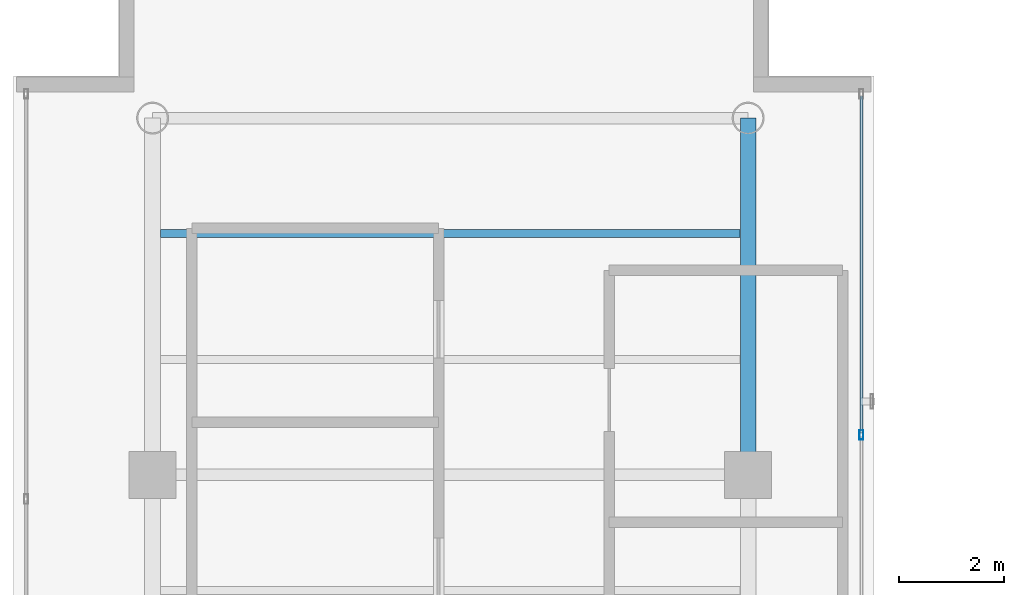
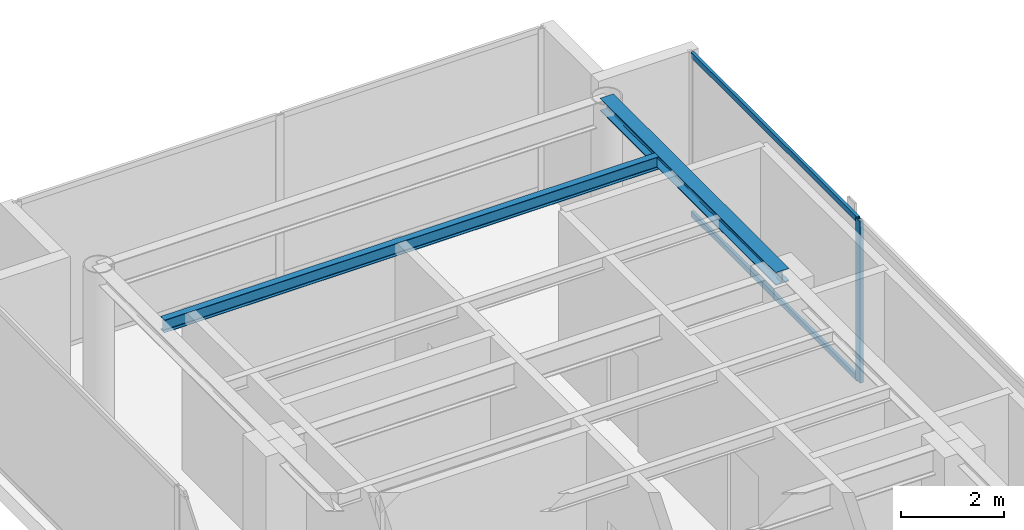
# One storey, part 17 of 24: 3 members, 2 beams, 1 element without a shape of its own.
"""IFC4 building model written with IfcOpenShell, lengths in metres."""

from ifc_helpers import new_model, si_unit, direction, frame, origin, origin_with_axes, origin_2d, place, context, subcontext, project, spatial, hollow_rectangle, i_section, extrude, source, transform, mapped, material, layer, layer_set, material_profile, profile_set, type_object, element, aggregate, save


model = new_model("IFC4")

# Units and contexts
model_context = context("Model", 3, precision=1e-05, world=origin(), true_north=direction((0.0, 1.0)))
body_context = subcontext(model_context, "Body", "Model", "MODEL_VIEW")
ifc_project = project(units=[si_unit("LENGTHUNIT", "METRE"), si_unit("AREAUNIT", "SQUARE_METRE"), si_unit("VOLUMEUNIT", "CUBIC_METRE"), si_unit("PLANEANGLEUNIT", "RADIAN"), si_unit("MASSUNIT", "GRAM", prefix="KILO")], contexts=[model_context])

# Site, building, storey
site_placement = place(None, origin())
site = spatial("IfcSite", under=ifc_project, at=site_placement, CompositionType="ELEMENT")
building_placement = place(site_placement, origin())
building = spatial("IfcBuilding", under=site, at=building_placement, Name="Kolvaren Waterfront Exchange", CompositionType="ELEMENT")
storey_placement = place(building_placement, frame((0.0, 0.0, 356.199951171875)))
storey = spatial("IfcBuildingStorey", under=building, at=storey_placement, Name="L91", CompositionType="ELEMENT", Elevation=356.199951171875)

# Beams
ifc_material_1 = material(Name="Steel S355", Category="steel")
ifc_material_profile_1 = material_profile(ifc_material_1, i_section(OverallWidth=0.300048828125, OverallDepth=0.300048828125, WebThickness=0.010986328125, FlangeThickness=0.01904296875, FilletRadius=0.027099609375, at=origin_2d()), Name="HEB300")
ifc_profile_set_1 = profile_set([ifc_material_profile_1], Name="Steel S355")
beam_type_1 = type_object("IfcBeamType", Name="STR-BM-HEB300", PredefinedType="SPANDREL", material=ifc_profile_set_1)
beam_1_placement = place(storey_placement, frame((18.800048828125, 37.800048828125, 3.670166015625), z_axis=(0.0, 1.0, 0.0), x_axis=(-1.0, 0.0, 0.0)))
element("IfcBeam", 1, at=beam_1_placement, inside=storey, type_object=beam_type_1, Name="L91 north-arm edge beam 3", PredefinedType="SPANDREL", context=body_context, shape_type="SweptSolid", body=[
    extrude(i_section(OverallWidth=0.300048828125, OverallDepth=0.300048828125, WebThickness=0.010986328125, FlangeThickness=0.01904296875, FilletRadius=0.027099609375, at=origin_2d()), origin(), (0.0, 0.0, 1.0), 6.800048828125),
])
ifc_material_profile_2 = material_profile(ifc_material_1, i_section(OverallWidth=0.14990234375, OverallDepth=0.300048828125, WebThickness=0.007080078125, FlangeThickness=0.0107421875, FilletRadius=0.014892578125, at=origin_2d()), Name="IPE300")
ifc_profile_set_2 = profile_set([ifc_material_profile_2], Name="Steel S355")
beam_type_2 = type_object("IfcBeamType", Name="STR-BM-IPE300", PredefinedType="JOIST", material=ifc_profile_set_2)
beam_2_placement = place(storey_placement, frame((7.60205078125, 42.39990234375, 3.670166015625), z_axis=(1.0, 0.0, 0.0), x_axis=(0.0, 1.0, 0.0)))
element("IfcBeam", 2, at=beam_2_placement, inside=storey, type_object=beam_type_2, Name="L91 north-arm composite joist 6", PredefinedType="JOIST", context=body_context, shape_type="SweptSolid", body=[
    extrude(i_section(OverallWidth=0.14990234375, OverallDepth=0.300048828125, WebThickness=0.007080078125, FlangeThickness=0.0107421875, FilletRadius=0.014892578125, at=origin_2d()), origin(), (0.0, 0.0, 1.0), 11.0458984375),
])

# Curtain wall, members
ifc_material_2 = material(Name="Anodised dark bronze spandrel aluminium", Category="aluminium")
ifc_layer = layer(ifc_material_2, 0.219970703125, Name="Anodised dark bronze spandrel aluminium")
ifc_layer_set = layer_set([ifc_layer], Name="Anodised dark bronze spandrel aluminium")
curtain_wall_type = type_object("IfcCurtainWallType", Name="ARC-CW-SYS6", PredefinedType="USERDEFINED", material=ifc_layer_set)
curtain_wall_placement = place(storey_placement, origin())
curtain_wall = element("IfcCurtainWall", 3, at=curtain_wall_placement, inside=storey, type_object=curtain_wall_type, Name="L91 stick curtain wall CW6 (CW-L91-NE)", ObjectType="STICK CURTAIN WALL", PredefinedType="USERDEFINED")
ifc_material_3 = material(Name="Anodised bronze aluminium 6063-T6", Category="aluminium")
ifc_material_profile_3 = material_profile(ifc_material_3, hollow_rectangle(XDim=0.074951171875, YDim=0.179931640625, WallThickness=0.00439453125, at=origin_2d()), Name="ALU-MUL-180x75x4.5")
ifc_profile_set_3 = profile_set([ifc_material_profile_3], Name="Anodised bronze aluminium 6063-T6")
member_type_1 = type_object("IfcMemberType", Name="ARC-CWM-180", PredefinedType="MULLION", material=ifc_profile_set_3)
shared_shape_1 = source(origin_with_axes(), body_context, "Body", "SweptSolid", [
    extrude(hollow_rectangle(XDim=0.074951171875, YDim=0.179931640625, WallThickness=0.00439453125, at=origin_2d()), origin(), (0.0, 0.0, 1.0), 3.820068359375),
])
member_1_placement = place(storey_placement, frame((20.9599609375, 38.563232421875, 0.0), z_axis=(0.0, 0.0, 1.0), x_axis=(-1.0, 0.0, 0.0)))
member_1 = element("IfcMember", 4, at=member_1_placement, type_object=member_type_1, Name="CW6 mullion 3", PredefinedType="MULLION", context=body_context, shape_type="MappedRepresentation", body=[
    mapped(shared_shape_1, transform((0.0, 0.0, 0.0), x_axis=(1.0, 0.0, 0.0), y_axis=(0.0, 1.0, 0.0), z_axis=(0.0, 0.0, 1.0), scale=1.0)),
])
ifc_material_profile_4 = material_profile(ifc_material_3, hollow_rectangle(XDim=0.06494140625, YDim=0.1298828125, WallThickness=0.00390625, at=origin_2d()), Name="ALU-TRN-130x65x4")
ifc_profile_set_4 = profile_set([ifc_material_profile_4], Name="Anodised bronze aluminium 6063-T6")
member_type_2 = type_object("IfcMemberType", Name="ARC-CWT-130", PredefinedType="USERDEFINED", material=ifc_profile_set_4)
shared_shape_2 = source(origin_with_axes(), body_context, "Body", "SweptSolid", [
    extrude(hollow_rectangle(XDim=0.06494140625, YDim=0.1298828125, WallThickness=0.00390625, at=origin_2d()), origin(), (0.0, 0.0, 1.0), 6.424072265625),
])
member_2_placement = place(storey_placement, frame((20.9599609375, 38.600830078125, 0.032470703125), z_axis=(0.0, 1.0, 0.0), x_axis=(-1.0, 0.0, 0.0)))
member_2 = element("IfcMember", 5, at=member_2_placement, type_object=member_type_2, Name="CW6 transom 3.1", ObjectType="TRANSOM", PredefinedType="USERDEFINED", context=body_context, shape_type="MappedRepresentation", body=[
    mapped(shared_shape_2, transform((0.0, 0.0, 0.0), x_axis=(1.0, 0.0, 0.0), y_axis=(0.0, 1.0, 0.0), z_axis=(0.0, 0.0, 1.0), scale=1.0)),
])
member_3_placement = place(storey_placement, frame((20.9599609375, 38.600830078125, 3.78759765625), z_axis=(0.0, 1.0, 0.0), x_axis=(-1.0, 0.0, 0.0)))
member_3 = element("IfcMember", 6, at=member_3_placement, type_object=member_type_2, Name="CW6 transom 3.2", ObjectType="TRANSOM", PredefinedType="USERDEFINED", context=body_context, shape_type="MappedRepresentation", body=[
    mapped(shared_shape_2, transform((0.0, 0.0, 0.0), x_axis=(1.0, 0.0, 0.0), y_axis=(0.0, 1.0, 0.0), z_axis=(0.0, 0.0, 1.0), scale=1.0)),
])
aggregate(curtain_wall, [member_1, member_2, member_3])

save(model, "model.ifc")
